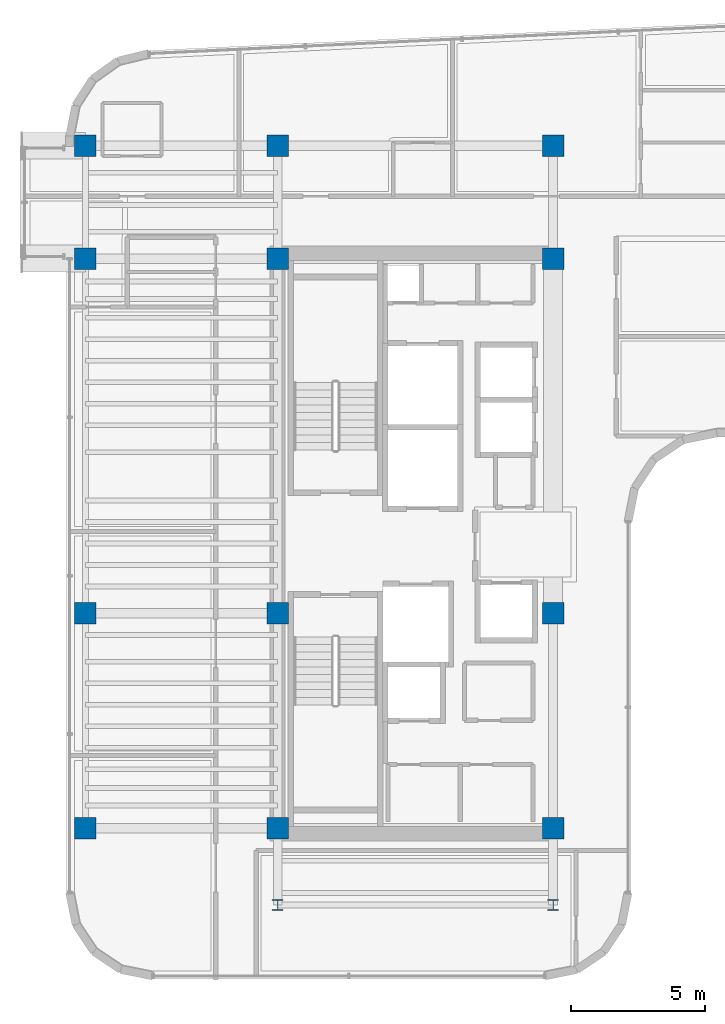
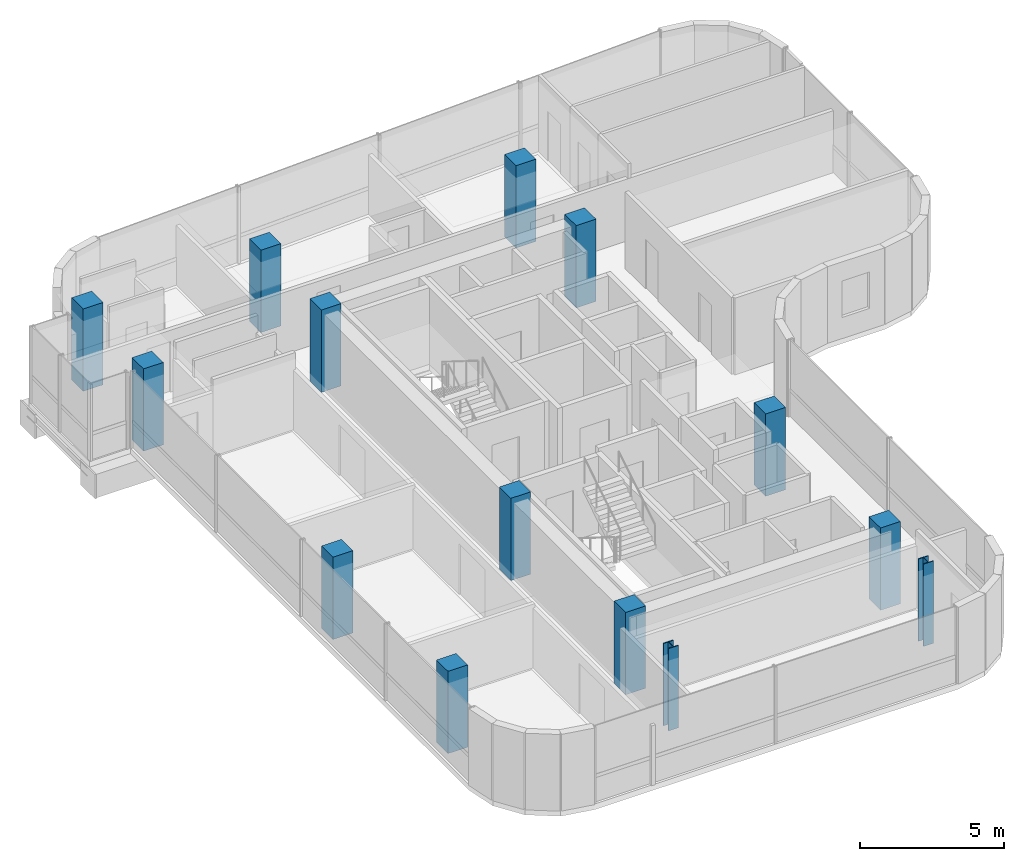
# One storey, part 1 of 21: 14 columns.
"""IFC4 building model written with IfcOpenShell, lengths in metres."""

from ifc_helpers import new_model, si_unit, direction, frame, origin, origin_2d, place, context, subcontext, project, spatial, rectangle, i_section, extrude, source, transform, mapped, material, material_profile, profile_set, type_object, element, save


model = new_model("IFC4")

# Units and contexts
model_context = context("Model", 3, precision=1e-05, world=origin(), true_north=direction((0.0, 1.0)))
body_context = subcontext(model_context, "Body", "Model", "MODEL_VIEW")
ifc_project = project(units=[si_unit("LENGTHUNIT", "METRE"), si_unit("AREAUNIT", "SQUARE_METRE"), si_unit("VOLUMEUNIT", "CUBIC_METRE"), si_unit("PLANEANGLEUNIT", "RADIAN"), si_unit("MASSUNIT", "GRAM", prefix="KILO")], contexts=[model_context])

# Site, building, storey
site_placement = place(None, origin())
site = spatial("IfcSite", under=ifc_project, at=site_placement, CompositionType="ELEMENT")
building_placement = place(site_placement, origin())
building = spatial("IfcBuilding", under=site, at=building_placement, Name="Valdorenza Pilgrim Sanctuary Tower", CompositionType="ELEMENT")
storey_placement = place(building_placement, frame((0.0, 0.0, 251.0)))
storey = spatial("IfcBuildingStorey", under=building, at=storey_placement, Name="L65", CompositionType="ELEMENT", Elevation=251.0)

# Columns
ifc_material_1 = material(Name="Concrete C50/60", Category="concrete")
ifc_material_profile_1 = material_profile(ifc_material_1, rectangle(XDim=0.800048828125, YDim=0.800048828125, at=origin_2d()), Name="RC 800x800")
ifc_profile_set_1 = profile_set([ifc_material_profile_1], Name="Concrete C50/60")
column_type_1 = type_object("IfcColumnType", Name="COL-Z4B-800", PredefinedType="COLUMN", material=ifc_profile_set_1)
shared_shape_1 = source(origin(), body_context, "Body", "SweptSolid", [
    extrude(rectangle(XDim=0.800048828125, YDim=0.800048828125, at=origin_2d()), origin(), (0.0, 0.0, 1.0), 3.5),
])
for number, where, z_axis, x_axis, name in (
    (1, (-29.800048828125, -10.60009765625, 0.0), (0.0, 0.0, 1.0), (1.0, 0.0, 0.0), "L65 Perimeter Column WA-W-S1"),
    (2, (-22.64990234375, -10.60009765625, 0.0), (0.0, 0.0, 1.0), (1.0, 0.0, 0.0), "L65 Column CA-W-S1"),
    (3, (-12.39990234375, -10.60009765625, 0.0), (0.0, 0.0, 1.0), (1.0, 0.0, 0.0), "L65 Column CA-E-S1"),
    (4, (-29.800048828125, -2.60009765625, 0.0), (0.0, 0.0, 1.0), (1.0, 0.0, 0.0), "L65 Perimeter Column WA-W-M0"),
    (5, (-22.64990234375, -2.60009765625, 0.0), (0.0, 0.0, 1.0), (1.0, 0.0, 0.0), "L65 Column CA-W-M0"),
    (6, (-12.39990234375, -2.60009765625, 0.0), (0.0, 0.0, 1.0), (1.0, 0.0, 0.0), "L65 Column CA-E-M0"),
    (7, (-29.800048828125, 10.60009765625, 0.0), (0.0, 0.0, 1.0), (1.0, 0.0, 0.0), "L65 Perimeter Column WA-W-N1"),
    (8, (-22.64990234375, 10.60009765625, 0.0), (0.0, 0.0, 1.0), (1.0, 0.0, 0.0), "L65 Column CA-W-N1"),
    (9, (-12.39990234375, 10.60009765625, 0.0), (0.0, 0.0, 1.0), (1.0, 0.0, 0.0), "L65 Column CA-E-N1"),
    (10, (-29.800048828125, 14.800048828125, 0.0), (0.0, 0.0, 1.0), (1.0, 0.0, 0.0), "L65 Perimeter Column WA-W-N2"),
    (11, (-22.64990234375, 14.800048828125, 0.0), (0.0, 0.0, 1.0), (1.0, 0.0, 0.0), "L65 Column CA-W-N2"),
    (12, (-12.39990234375, 14.800048828125, 0.0), (0.0, 0.0, 1.0), (1.0, 0.0, 0.0), "L65 Column CA-E-N2"),
):
    element("IfcColumn", number, at=place(storey_placement, frame(where, z_axis=z_axis, x_axis=x_axis)), inside=storey, type_object=column_type_1, Name=name, PredefinedType="COLUMN", context=body_context, shape_type="MappedRepresentation", body=[
        mapped(shared_shape_1, transform((0.0, 0.0, 0.0), x_axis=(1.0, 0.0, 0.0), y_axis=(0.0, 1.0, 0.0), z_axis=(0.0, 0.0, 1.0), scale=1.0)),
    ])
ifc_material_2 = material(Name="Steel ASTM A992 Grade 50", Category="steel")
ifc_material_profile_2 = material_profile(ifc_material_2, i_section(OverallWidth=0.40087890625, OverallDepth=0.39892578125, WebThickness=0.02490234375, FlangeThickness=0.03955078125, at=origin_2d()), Name="W14X211")
ifc_profile_set_2 = profile_set([ifc_material_profile_2], Name="Steel ASTM A992 Grade 50")
column_type_2 = type_object("IfcColumnType", Name="COL-STL-W211", PredefinedType="COLUMN", material=ifc_profile_set_2)
shared_shape_2 = source(origin(), body_context, "Body", "SweptSolid", [
    extrude(i_section(OverallWidth=0.40087890625, OverallDepth=0.39892578125, WebThickness=0.02490234375, FlangeThickness=0.03955078125, at=origin_2d()), origin(), (0.0, 0.0, 1.0), 3.5),
])
for number, where, z_axis, x_axis, name in (
    (13, (-22.64990234375, -13.449951171875, 0.0), (0.0, 0.0, 1.0), (1.0, 0.0, 0.0), "L65 Column WA-S-W"),
    (14, (-12.39990234375, -13.449951171875, 0.0), (0.0, 0.0, 1.0), (1.0, 0.0, 0.0), "L65 Column WA-S-E"),
):
    element("IfcColumn", number, at=place(storey_placement, frame(where, z_axis=z_axis, x_axis=x_axis)), inside=storey, type_object=column_type_2, Name=name, PredefinedType="COLUMN", context=body_context, shape_type="MappedRepresentation", body=[
        mapped(shared_shape_2, transform((0.0, 0.0, 0.0), x_axis=(1.0, 0.0, 0.0), y_axis=(0.0, 1.0, 0.0), z_axis=(0.0, 0.0, 1.0), scale=1.0)),
    ])

save(model, "model.ifc")
